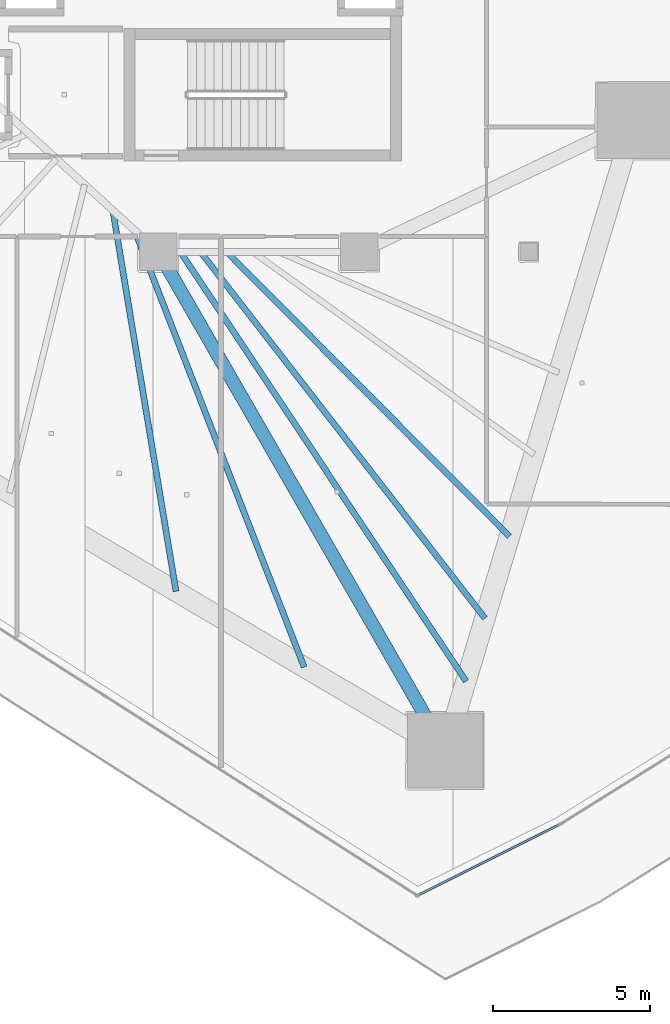
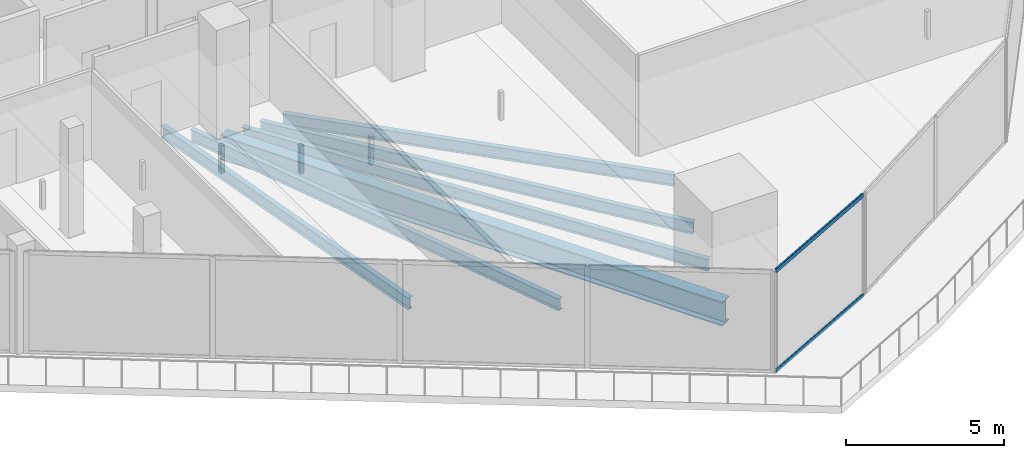
# One storey, part 8 of 46: 6 beams, 2 members, 1 element without a shape of its own.
"""IFC4 building model written with IfcOpenShell, lengths in metres."""

from ifc_helpers import new_model, si_unit, direction, frame, origin, origin_2d, place, context, subcontext, project, spatial, hollow_rectangle, i_section, extrude, material, layer, layer_set, material_profile, profile_set, type_object, element, aggregate, save


model = new_model("IFC4")

# Units and contexts
model_context = context("Model", 3, precision=1e-05, world=origin(), true_north=direction((0.0, 1.0)))
body_context = subcontext(model_context, "Body", "Model", "MODEL_VIEW")
ifc_project = project(units=[si_unit("LENGTHUNIT", "METRE"), si_unit("AREAUNIT", "SQUARE_METRE"), si_unit("VOLUMEUNIT", "CUBIC_METRE"), si_unit("PLANEANGLEUNIT", "RADIAN"), si_unit("MASSUNIT", "GRAM", prefix="KILO")], contexts=[model_context])

# Site, building, storey
site_placement = place(None, origin())
site = spatial("IfcSite", under=ifc_project, at=site_placement, CompositionType="ELEMENT")
building_placement = place(site_placement, origin())
building = spatial("IfcBuilding", under=site, at=building_placement, Name="Qorvath Tower", CompositionType="ELEMENT")
storey_placement = place(building_placement, frame((0.0, 0.0, 87.0)))
storey = spatial("IfcBuildingStorey", under=building, at=storey_placement, Name="L19", CompositionType="ELEMENT", Elevation=87.0)

# Beams
ifc_material_1 = material(Name="Steel ASTM A992 Grade 50", Category="steel")
ifc_material_profile_1 = material_profile(ifc_material_1, i_section(OverallWidth=0.422119140625, OverallDepth=0.93310546875, WebThickness=0.021240234375, FlangeThickness=0.039794921875, FilletRadius=0.02392578125, at=origin_2d()), Name="W36x262")
ifc_profile_set_1 = profile_set([ifc_material_profile_1], Name="Steel ASTM A992 Grade 50")
beam_type_1 = type_object("IfcBeamType", Name="BM-FG1", PredefinedType="BEAM", material=ifc_profile_set_1)
beam_1_placement = place(storey_placement, frame((-23.60009765625, -11.449951171875, -0.74658203125), z_axis=(0.498645367714, -0.866806089767, 0.0), x_axis=(0.866806089767, 0.498645367714, 0.0)))
element("IfcBeam", 1, at=beam_1_placement, inside=storey, type_object=beam_type_1, Name="Radial Floor Girder CC4-MC3 L19", PredefinedType="BEAM", context=body_context, shape_type="SweptSolid", body=[
    extrude(i_section(OverallWidth=0.422119140625, OverallDepth=0.93310546875, WebThickness=0.021240234375, FlangeThickness=0.039794921875, FilletRadius=0.02392578125, at=origin_2d()), origin(), (0.0, 0.0, 1.0), 18.321044921875),
])
ifc_material_2 = material(Name="Steel ASTM A992 Grade 50", Category="steel")
ifc_material_profile_2 = material_profile(ifc_material_2, i_section(OverallWidth=0.18994140625, OverallDepth=0.45703125, WebThickness=0.009033203125, FlangeThickness=0.014404296875, FilletRadius=0.011962890625, at=origin_2d()), Name="W18x50")
ifc_profile_set_2 = profile_set([ifc_material_profile_2], Name="Steel ASTM A992 Grade 50")
beam_type_2 = type_object("IfcBeamType", Name="BM-FJ2", PredefinedType="JOIST", material=ifc_profile_set_2)
beam_2_placement = place(storey_placement, frame((-21.424072265625, -11.449951171875, -0.508544921875), z_axis=(0.705107654599, -0.709100271771, 0.0), x_axis=(0.709100271771, 0.705107654599, 0.0)))
element("IfcBeam", 2, at=beam_2_placement, inside=storey, type_object=beam_type_2, Name="Composite Floor Joist SE5 L19", PredefinedType="JOIST", context=body_context, shape_type="SweptSolid", body=[
    extrude(i_section(OverallWidth=0.18994140625, OverallDepth=0.45703125, WebThickness=0.009033203125, FlangeThickness=0.014404296875, FilletRadius=0.011962890625, at=origin_2d()), origin(), (0.0, 0.0, 1.0), 12.780029296875),
])
beam_3_placement = place(storey_placement, frame((-22.256103515625, -11.449951171875, -0.508544921875), z_axis=(0.613206963859, -0.789922286984, 0.0), x_axis=(0.789922286984, 0.613206963859, 0.0)))
element("IfcBeam", 3, at=beam_3_placement, inside=storey, type_object=beam_type_2, Name="Composite Floor Joist SE6 L19", PredefinedType="JOIST", context=body_context, shape_type="SweptSolid", body=[
    extrude(i_section(OverallWidth=0.18994140625, OverallDepth=0.45703125, WebThickness=0.009033203125, FlangeThickness=0.014404296875, FilletRadius=0.011962890625, at=origin_2d()), origin(), (0.0, 0.0, 1.0), 14.77294921875),
])
beam_4_placement = place(storey_placement, frame((-22.89599609375, -11.449951171875, -0.508544921875), z_axis=(0.553811384989, -0.83264214994, 0.0), x_axis=(0.83264214994, 0.553811384989, 0.0)))
element("IfcBeam", 4, at=beam_4_placement, inside=storey, type_object=beam_type_2, Name="Composite Floor Joist SE7 L19", PredefinedType="JOIST", context=body_context, shape_type="SweptSolid", body=[
    extrude(i_section(OverallWidth=0.18994140625, OverallDepth=0.45703125, WebThickness=0.009033203125, FlangeThickness=0.014404296875, FilletRadius=0.011962890625, at=origin_2d()), origin(), (0.0, 0.0, 1.0), 16.42333984375),
])
beam_5_placement = place(storey_placement, frame((-25.049072265625, -10.126953125, -0.508544921875), z_axis=(0.163639384475, -0.98652022374, 0.0), x_axis=(0.98652022374, 0.163639384475, 0.0)))
element("IfcBeam", 5, at=beam_5_placement, inside=storey, type_object=beam_type_2, Name="Composite Floor Joist SW6 L19", PredefinedType="JOIST", context=body_context, shape_type="SweptSolid", body=[
    extrude(i_section(OverallWidth=0.18994140625, OverallDepth=0.45703125, WebThickness=0.009033203125, FlangeThickness=0.014404296875, FilletRadius=0.011962890625, at=origin_2d()), origin(), (0.0, 0.0, 1.0), 12.301025390625),
])
beam_6_placement = place(storey_placement, frame((-24.35888671875, -10.757080078125, -0.508544921875), z_axis=(0.361964096586, -0.93219203643, 0.0), x_axis=(0.93219203643, 0.361964096586, 0.0)))
element("IfcBeam", 6, at=beam_6_placement, inside=storey, type_object=beam_type_2, Name="Composite Floor Joist SW7 L19", PredefinedType="JOIST", context=body_context, shape_type="SweptSolid", body=[
    extrude(i_section(OverallWidth=0.18994140625, OverallDepth=0.45703125, WebThickness=0.009033203125, FlangeThickness=0.014404296875, FilletRadius=0.011962890625, at=origin_2d()), origin(), (0.0, 0.0, 1.0), 14.93115234375),
])

# Curtain wall, members
ifc_material_3 = material(Name="Anodised aluminium and triple low-E glass", Category="aluminium")
ifc_layer = layer(ifc_material_3, 0.179931640625)
ifc_layer_set = layer_set([ifc_layer], Name="CW-SYS-2")
curtain_wall_type = type_object("IfcCurtainWallType", Name="CW-SYS-2", PredefinedType="NOTDEFINED", material=ifc_layer_set)
curtain_wall_placement = place(storey_placement, origin())
curtain_wall = element("IfcCurtainWall", 7, at=curtain_wall_placement, inside=storey, type_object=curtain_wall_type, Name="Curtain Wall CW-2 CW-T-L19-3.1", PredefinedType="NOTDEFINED")
ifc_material_4 = material(Name="Anodised aluminium 6063-T6", Category="aluminium")
ifc_material_profile_3 = material_profile(ifc_material_4, hollow_rectangle(XDim=0.06494140625, YDim=0.159912109375, WallThickness=0.00341796875, InnerFilletRadius=0.00341796875, OuterFilletRadius=0.007080078125, at=origin_2d()), Name="CWT 160x65")
ifc_profile_set_3 = profile_set([ifc_material_profile_3], Name="Anodised aluminium 6063-T6")
member_type = type_object("IfcMemberType", Name="CWT-160", PredefinedType="USERDEFINED", material=ifc_profile_set_3)
member_1_placement = place(storey_placement, frame((-15.290771484375, -31.924072265625, 0.032470703125), z_axis=(0.894437008434, 0.447193960092, 0.0), x_axis=(-0.447193960092, 0.894437008434, 0.0)))
member_1 = element("IfcMember", 8, at=member_1_placement, type_object=member_type, Name="CW-2 transom 1.1", ObjectType="TRANSOM", PredefinedType="USERDEFINED", context=body_context, shape_type="SweptSolid", body=[
    extrude(hollow_rectangle(XDim=0.06494140625, YDim=0.159912109375, WallThickness=0.00341796875, InnerFilletRadius=0.00341796875, OuterFilletRadius=0.007080078125, at=origin_2d()), origin(), (0.0, 0.0, 1.0), 4.973388671875),
])
member_2_placement = place(storey_placement, frame((-15.290771484375, -31.924072265625, 3.887451171875), z_axis=(0.894437008434, 0.447193960092, 0.0), x_axis=(-0.447193960092, 0.894437008434, 0.0)))
member_2 = element("IfcMember", 9, at=member_2_placement, type_object=member_type, Name="CW-2 transom 1.2", ObjectType="TRANSOM", PredefinedType="USERDEFINED", context=body_context, shape_type="SweptSolid", body=[
    extrude(hollow_rectangle(XDim=0.06494140625, YDim=0.159912109375, WallThickness=0.00341796875, InnerFilletRadius=0.00341796875, OuterFilletRadius=0.007080078125, at=origin_2d()), origin(), (0.0, 0.0, 1.0), 4.973388671875),
])
aggregate(curtain_wall, [member_1, member_2])

save(model, "model.ifc")
